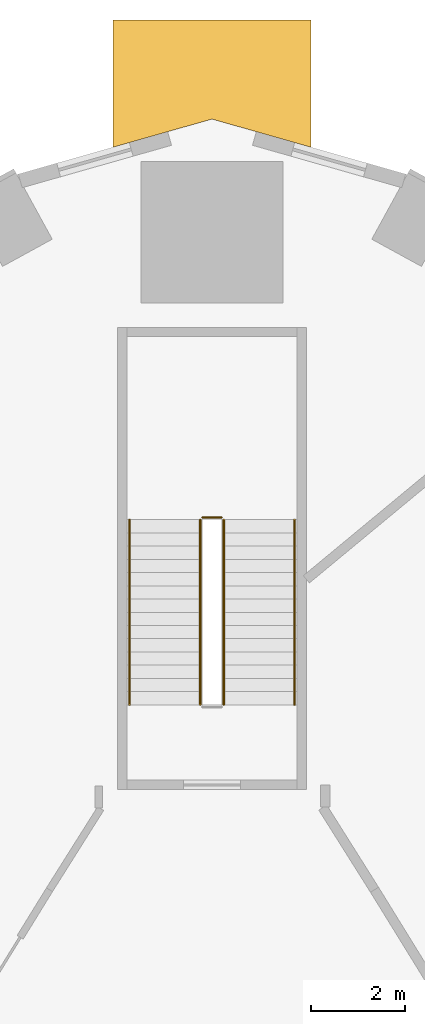
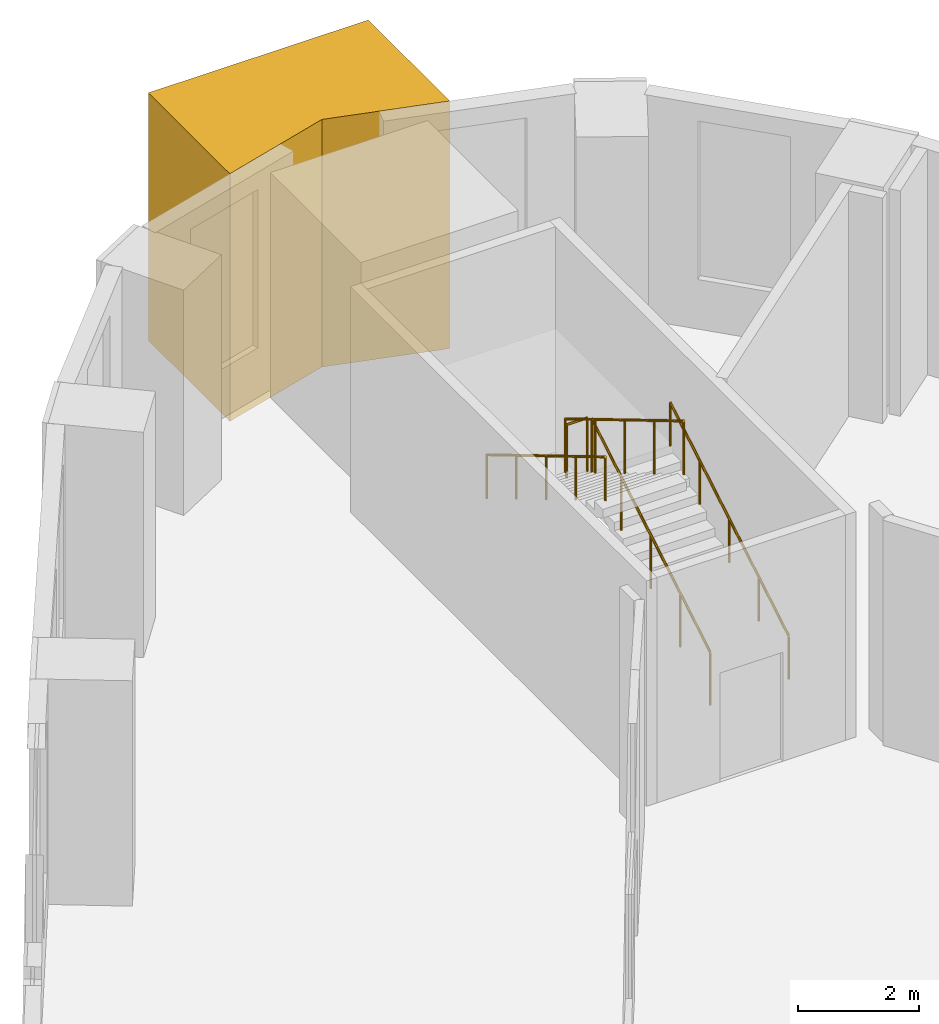
# One storey, part 16 of 16: 5 railings, 1 covering.
"""IFC4 building model written with IfcOpenShell, lengths in metres."""

from ifc_helpers import new_model, si_unit, direction, frame, origin, origin_2d, place, context, subcontext, project, spatial, polyline, circle, outline, extrude, material, type_object, element, save


model = new_model("IFC4")

# Units and contexts
model_context = context("Model", 3, precision=1e-05, world=origin(), true_north=direction((0.0, 1.0)))
body_context = subcontext(model_context, "Body", "Model", "MODEL_VIEW")
ifc_project = project(units=[si_unit("LENGTHUNIT", "METRE"), si_unit("AREAUNIT", "SQUARE_METRE"), si_unit("VOLUMEUNIT", "CUBIC_METRE"), si_unit("PLANEANGLEUNIT", "RADIAN"), si_unit("MASSUNIT", "GRAM", prefix="KILO")], contexts=[model_context])

# Site, building, storey
site_placement = place(None, origin())
site = spatial("IfcSite", under=ifc_project, at=site_placement, CompositionType="ELEMENT")
building_placement = place(site_placement, origin())
building = spatial("IfcBuilding", under=site, at=building_placement, Name="Entoto Arch Interchange Tower", CompositionType="ELEMENT")
storey_placement = place(building_placement, frame((0.0, 0.0, 25.0)))
storey = spatial("IfcBuildingStorey", under=building, at=storey_placement, Name="L04", CompositionType="ELEMENT", Elevation=25.0)

# Covering
ifc_material_1 = material(Name="Board-marked precast concrete C50/60", Category="concrete")
covering_type = type_object("IfcCoveringType", Name="PRECAST FRAME COURSE", PredefinedType="CLADDING", material=ifc_material_1)
covering_placement = place(storey_placement, frame((0.0, 0.0, -0.449951171875)))
element("IfcCovering", 1, at=covering_placement, inside=storey, type_object=covering_type, Name="Podium corner pier N L04", PredefinedType="CLADDING", context=body_context, shape_type="SweptSolid", body=[
    extrude(outline(polyline([(2.10009765625, 49.612060546875), (2.10009765625, 46.916015625), (0.0, 47.511962890625), (-2.10009765625, 46.916015625), (-2.10009765625, 49.612060546875), (2.10009765625, 49.612060546875)])), origin(), (0.0, 0.0, 1.0), 5.0),
])

# Railings
ifc_material_2 = material(Name="Stainless steel 1.4301", Category="steel")
railing_type_1 = type_object("IfcRailingType", Name="STAIR GUARD 1100 STEEL", PredefinedType="GUARDRAIL", material=ifc_material_2)
railing_1_placement = place(storey_placement, frame((0.25, 35.10009765625, 0.166748046875)))
element("IfcRailing", 2, at=railing_1_placement, inside=storey, type_object=railing_type_1, Name="L04 PST-N stair guard 1", PredefinedType="GUARDRAIL", context=body_context, shape_type="SweptSolid", body=[
    extrude(circle(Radius=0.02392578125, at=origin_2d()), frame((0.0, 0.0, 1.076171875), z_axis=(0.0, 0.859296244711, 0.511478214419), x_axis=(-1.0, 0.0, 0.0)), (0.0, 0.0, 1.0), 4.561767578125),
    extrude(circle(Radius=0.02099609375, at=origin_2d()), origin(), (0.0, 0.0, 1.0), 1.052001953125),
    extrude(circle(Radius=0.02099609375, at=origin_2d()), frame((0.0, 0.97998046875, 0.583251953125)), (0.0, 0.0, 1.0), 1.052001953125),
    extrude(circle(Radius=0.02099609375, at=origin_2d()), frame((0.0, 1.9599609375, 1.16650390625)), (0.0, 0.0, 1.0), 1.052001953125),
    extrude(circle(Radius=0.02099609375, at=origin_2d()), frame((0.0, 2.93994140625, 1.75)), (0.0, 0.0, 1.0), 1.052001953125),
    extrude(circle(Radius=0.02099609375, at=origin_2d()), frame((0.0, 3.919921875, 2.333251953125)), (0.0, 0.0, 1.0), 1.052001953125),
])
railing_2_placement = place(storey_placement, frame((0.199951171875, 39.070068359375, 2.5)))
element("IfcRailing", 3, at=railing_2_placement, inside=storey, type_object=railing_type_1, Name="L04 PST-N stair guard 2", PredefinedType="GUARDRAIL", context=body_context, shape_type="SweptSolid", body=[
    extrude(circle(Radius=0.02392578125, at=origin_2d()), frame((0.0, 0.0, 1.076171875), z_axis=(-1.0, 0.0, 0.0), x_axis=(0.0, -1.0, 0.0)), (0.0, 0.0, 1.0), 0.39990234375),
    extrude(circle(Radius=0.02099609375, at=origin_2d()), origin(), (0.0, 0.0, 1.0), 1.052001953125),
    extrude(circle(Radius=0.02099609375, at=origin_2d()), frame((-0.39990234375, 0.0, 0.0)), (0.0, 0.0, 1.0), 1.052001953125),
])
railing_3_placement = place(storey_placement, frame((-0.25, 39.02001953125, 2.666748046875)))
element("IfcRailing", 4, at=railing_3_placement, inside=storey, type_object=railing_type_1, Name="L04 PST-N stair guard 3", PredefinedType="GUARDRAIL", context=body_context, shape_type="SweptSolid", body=[
    extrude(circle(Radius=0.02392578125, at=origin_2d()), frame((0.0, 0.0, 1.076171875), z_axis=(0.0, -0.859296244711, 0.511478214419), x_axis=(1.0, 0.0, 0.0)), (0.0, 0.0, 1.0), 4.561767578125),
    extrude(circle(Radius=0.02099609375, at=origin_2d()), origin(), (0.0, 0.0, 1.0), 1.052001953125),
    extrude(circle(Radius=0.02099609375, at=origin_2d()), frame((0.0, -0.97998046875, 0.583251953125)), (0.0, 0.0, 1.0), 1.052001953125),
    extrude(circle(Radius=0.02099609375, at=origin_2d()), frame((0.0, -1.9599609375, 1.16650390625)), (0.0, 0.0, 1.0), 1.052001953125),
    extrude(circle(Radius=0.02099609375, at=origin_2d()), frame((0.0, -2.93994140625, 1.75)), (0.0, 0.0, 1.0), 1.052001953125),
    extrude(circle(Radius=0.02099609375, at=origin_2d()), frame((0.0, -3.919921875, 2.333251953125)), (0.0, 0.0, 1.0), 1.052001953125),
])
railing_type_2 = type_object("IfcRailingType", Name="STAIR HANDRAIL 900 STEEL", PredefinedType="HANDRAIL", material=ifc_material_2)
railing_4_placement = place(storey_placement, frame((1.75, 35.10009765625, 0.166748046875)))
element("IfcRailing", 5, at=railing_4_placement, inside=storey, type_object=railing_type_2, Name="L04 PST-N stair handrail 1", PredefinedType="HANDRAIL", context=body_context, shape_type="SweptSolid", body=[
    extrude(circle(Radius=0.02392578125, at=origin_2d()), frame((0.0, 0.0, 0.8759765625), z_axis=(0.0, 0.859296244711, 0.511478214419), x_axis=(-1.0, 0.0, 0.0)), (0.0, 0.0, 1.0), 4.561767578125),
    extrude(circle(Radius=0.02099609375, at=origin_2d()), origin(), (0.0, 0.0, 1.0), 0.851806640625),
    extrude(circle(Radius=0.02099609375, at=origin_2d()), frame((0.0, 0.97998046875, 0.583251953125)), (0.0, 0.0, 1.0), 0.851806640625),
    extrude(circle(Radius=0.02099609375, at=origin_2d()), frame((0.0, 1.9599609375, 1.16650390625)), (0.0, 0.0, 1.0), 0.851806640625),
    extrude(circle(Radius=0.02099609375, at=origin_2d()), frame((0.0, 2.93994140625, 1.75)), (0.0, 0.0, 1.0), 0.851806640625),
    extrude(circle(Radius=0.02099609375, at=origin_2d()), frame((0.0, 3.919921875, 2.333251953125)), (0.0, 0.0, 1.0), 0.851806640625),
])
railing_5_placement = place(storey_placement, frame((-1.75, 39.02001953125, 2.666748046875)))
element("IfcRailing", 6, at=railing_5_placement, inside=storey, type_object=railing_type_2, Name="L04 PST-N stair handrail 2", PredefinedType="HANDRAIL", context=body_context, shape_type="SweptSolid", body=[
    extrude(circle(Radius=0.02392578125, at=origin_2d()), frame((0.0, 0.0, 0.8759765625), z_axis=(0.0, -0.859296244711, 0.511478214419), x_axis=(1.0, 0.0, 0.0)), (0.0, 0.0, 1.0), 4.561767578125),
    extrude(circle(Radius=0.02099609375, at=origin_2d()), origin(), (0.0, 0.0, 1.0), 0.851806640625),
    extrude(circle(Radius=0.02099609375, at=origin_2d()), frame((0.0, -0.97998046875, 0.583251953125)), (0.0, 0.0, 1.0), 0.851806640625),
    extrude(circle(Radius=0.02099609375, at=origin_2d()), frame((0.0, -1.9599609375, 1.16650390625)), (0.0, 0.0, 1.0), 0.851806640625),
    extrude(circle(Radius=0.02099609375, at=origin_2d()), frame((0.0, -2.93994140625, 1.75)), (0.0, 0.0, 1.0), 0.851806640625),
    extrude(circle(Radius=0.02099609375, at=origin_2d()), frame((0.0, -3.919921875, 2.333251953125)), (0.0, 0.0, 1.0), 0.851806640625),
])

save(model, "model.ifc")
